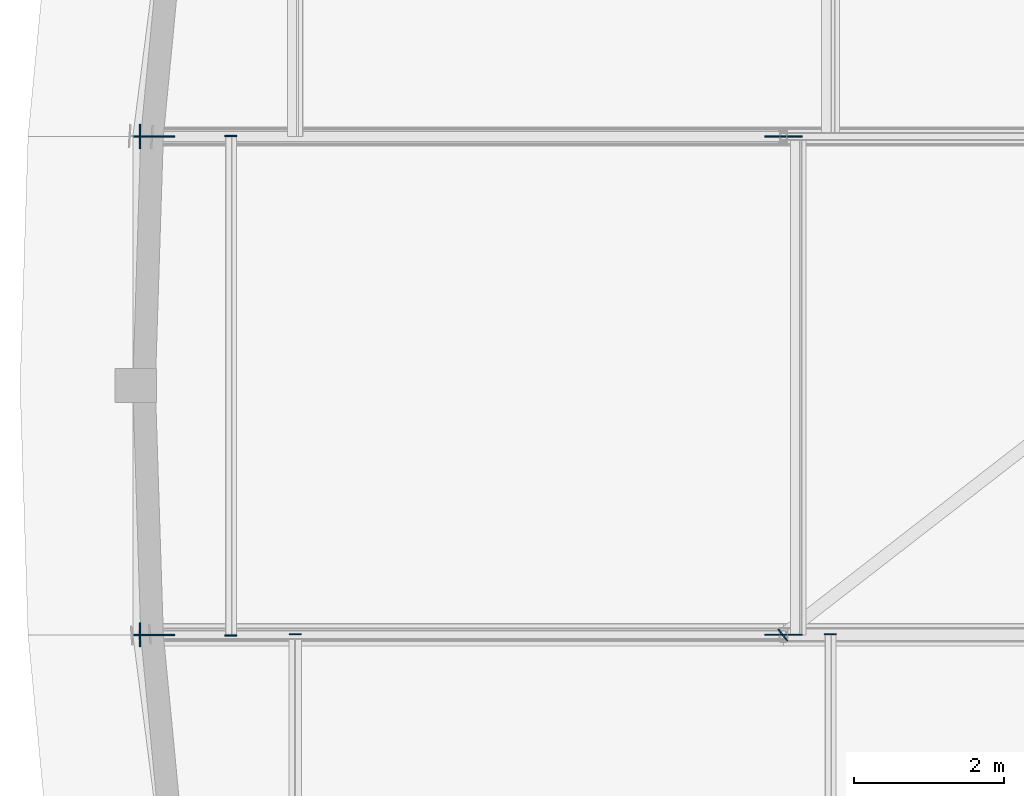
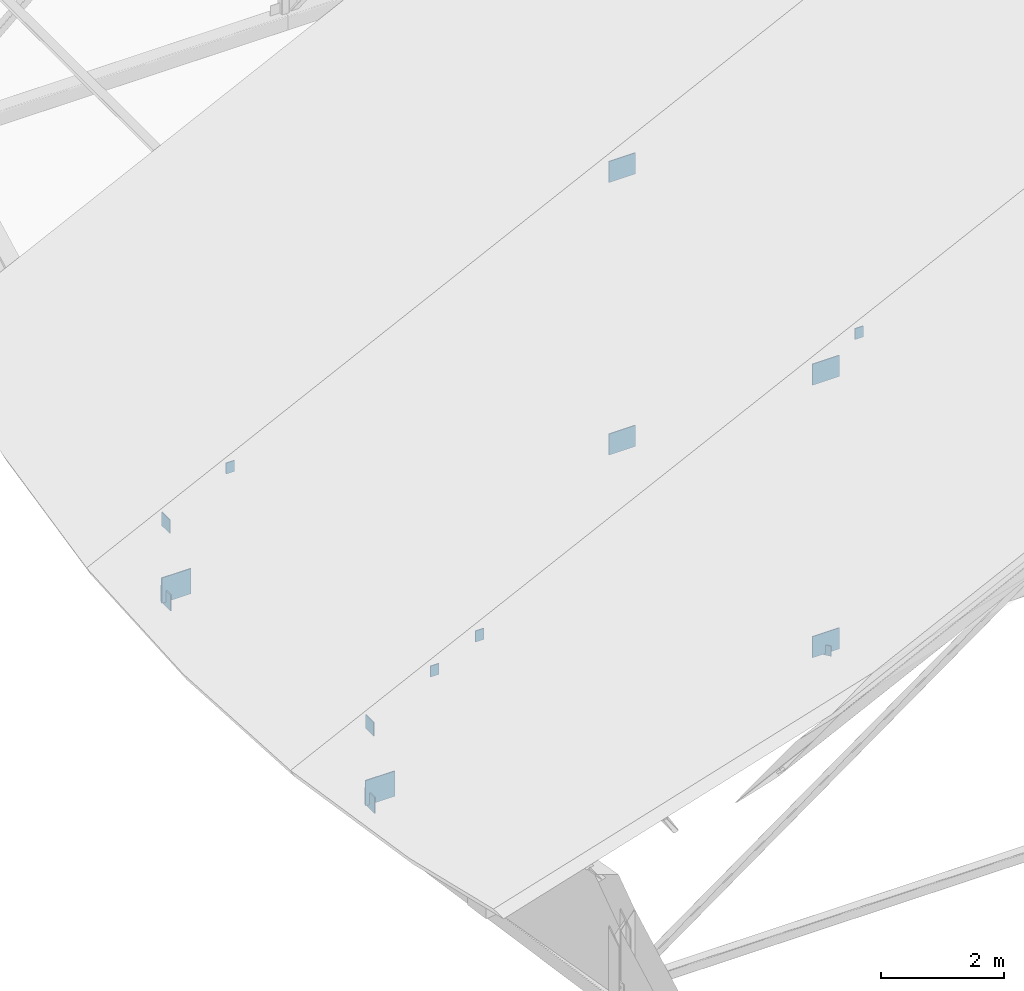
# One storey, part 41 of 78: 15 plates.
"""IFC4 building model written with IfcOpenShell, lengths in metres."""

from ifc_helpers import new_model, si_unit, direction, frame, origin, origin_2d, place, context, subcontext, project, spatial, rectangle, extrude, material, layer, layer_set, type_object, element, save


model = new_model("IFC4")

# Units and contexts
model_context = context("Model", 3, precision=1e-05, world=origin(), true_north=direction((0.0, 1.0)))
body_context = subcontext(model_context, "Body", "Model", "MODEL_VIEW")
ifc_project = project(units=[si_unit("LENGTHUNIT", "METRE"), si_unit("AREAUNIT", "SQUARE_METRE"), si_unit("VOLUMEUNIT", "CUBIC_METRE"), si_unit("PLANEANGLEUNIT", "RADIAN"), si_unit("MASSUNIT", "GRAM", prefix="KILO")], contexts=[model_context])

# Site, building, storey
site_placement = place(None, origin())
site = spatial("IfcSite", under=ifc_project, at=site_placement, CompositionType="ELEMENT")
building_placement = place(site_placement, origin())
building = spatial("IfcBuilding", under=site, at=building_placement, Name="Kelanivale Promenade Academy", CompositionType="ELEMENT")
storey_placement = place(building_placement, frame((0.0, 0.0, 16.199951171875)))
storey = spatial("IfcBuildingStorey", under=building, at=storey_placement, Name="L04", CompositionType="ELEMENT", Elevation=16.199951171875)

# Plates
ifc_material = material(Name="Steel S355", Category="steel")
ifc_layer_1 = layer(ifc_material, 0.01611328125)
ifc_layer_set_1 = layer_set([ifc_layer_1], Name="Steel S355")
plate_type_1 = type_object("IfcPlateType", Name="TN-CP16 Plate 16mm", PredefinedType="USERDEFINED", material=ifc_layer_set_1)
for number, where, z_axis, x_axis, name in (
    (1, (2.498046875, 52.885986328125, 1.55908203125), (0.0, 0.0, 1.0), (-1.0, 0.0, 0.0), "ROOF TRUSS TN-1 hollow-section end cap plate"),
    (2, (2.498046875, 59.513916015625, 1.55908203125), (0.0, 0.0, 1.0), (-1.0, 0.0, 0.0), "ROOF TRUSS TN-1 hollow-section end cap plate"),
):
    element("IfcPlate", number, at=place(storey_placement, frame(where, z_axis=z_axis, x_axis=x_axis)), inside=storey, type_object=plate_type_1, Name=name, ObjectType="CAP PLATE", PredefinedType="USERDEFINED", context=body_context, shape_type="SweptSolid", body=[
        extrude(rectangle(XDim=0.01611328125, YDim=0.27001953125, at=origin_2d()), origin(), (0.0, 0.0, 1.0), 0.27001953125),
    ])
for number, where, z_axis, x_axis, name in (
    (3, (4.55908203125, 52.89404296875, 2.64990234375), (0.0, 0.0, 1.0), (0.0, 1.0, 0.0), "ROOF TRUSS TN-4 hollow-section end cap plate"),
    (4, (11.679931640625, 52.89404296875, 6.15625), (0.0, 0.0, 1.0), (0.0, 1.0, 0.0), "ROOF TRUSS TN-4 hollow-section end cap plate"),
    (5, (3.7060546875, 52.8779296875, 2.26220703125), (0.0, 0.0, 1.0), (0.0, -1.0, 0.0), "ROOF TRUSS TN-4 hollow-section end cap plate"),
    (6, (3.7060546875, 59.52197265625, 2.26220703125), (0.0, 0.0, 1.0), (0.0, 1.0, 0.0), "ROOF TRUSS TN-4 hollow-section end cap plate"),
):
    element("IfcPlate", number, at=place(storey_placement, frame(where, z_axis=z_axis, x_axis=x_axis)), inside=storey, type_object=plate_type_1, Name=name, ObjectType="CAP PLATE", PredefinedType="USERDEFINED", context=body_context, shape_type="SweptSolid", body=[
        extrude(rectangle(XDim=0.01611328125, YDim=0.159912109375, at=origin_2d()), origin(), (0.0, 0.0, 1.0), 0.219970703125),
    ])
plate_placement = place(storey_placement, frame((11.047119140625, 52.881103515625, 0.10009765625), z_axis=(0.0, 0.0, 1.0), x_axis=(-0.790261972801, -0.612769136253, 0.0)))
element("IfcPlate", 7, at=plate_placement, inside=storey, type_object=plate_type_1, Name="ROOF TRUSS TN-3 hollow-section end cap plate", ObjectType="CAP PLATE", PredefinedType="USERDEFINED", context=body_context, shape_type="SweptSolid", body=[
    extrude(rectangle(XDim=0.01611328125, YDim=0.199951171875, at=origin_2d()), origin(), (0.0, 0.0, 1.0), 0.199951171875),
])
ifc_layer_2 = layer(ifc_material, 0.02001953125)
ifc_layer_set_2 = layer_set([ifc_layer_2], Name="Steel S355")
plate_type_2 = type_object("IfcPlateType", Name="TN-CP20 Plate 20mm", PredefinedType="USERDEFINED", material=ifc_layer_set_2)
for number, where, z_axis, x_axis, name in (
    (8, (2.49609375, 52.885986328125, 0.0400390625), (0.0, 0.0, 1.0), (-1.0, 0.0, 0.0), "ROOF TRUSS TN-1 hollow-section end cap plate"),
    (9, (2.49609375, 59.513916015625, 0.0400390625), (0.0, 0.0, 1.0), (-1.0, 0.0, 0.0), "ROOF TRUSS TN-1 hollow-section end cap plate"),
):
    element("IfcPlate", number, at=place(storey_placement, frame(where, z_axis=z_axis, x_axis=x_axis)), inside=storey, type_object=plate_type_2, Name=name, ObjectType="CAP PLATE", PredefinedType="USERDEFINED", context=body_context, shape_type="SweptSolid", body=[
        extrude(rectangle(XDim=0.02001953125, YDim=0.320068359375, at=origin_2d()), origin(), (0.0, 0.0, 1.0), 0.320068359375),
    ])
ifc_layer_3 = layer(ifc_material, 0.01611328125)
ifc_layer_set_3 = layer_set([ifc_layer_3], Name="Steel S355")
plate_type_3 = type_object("IfcPlateType", Name="TN-GP16 Plate 16mm", PredefinedType="USERDEFINED", material=ifc_layer_set_3)
for number, where, z_axis, x_axis, name in (
    (10, (11.052978515625, 52.885986328125, 0.130126953125), (0.0, 0.0, 1.0), (1.0, 0.0, 0.0), "ROOF TRUSS TN-3 welded node gusset plate"),
    (11, (11.052978515625, 52.885986328125, 5.5380859375), (0.0, 0.0, 1.0), (1.0, 0.0, 0.0), "ROOF TRUSS TN-4 welded node gusset plate"),
    (12, (11.052978515625, 59.513916015625, 0.130126953125), (0.0, 0.0, 1.0), (1.0, 0.0, 0.0), "ROOF TRUSS TN-3 welded node gusset plate"),
    (13, (11.052978515625, 59.513916015625, 5.5380859375), (0.0, 0.0, 1.0), (1.0, 0.0, 0.0), "ROOF TRUSS TN-4 welded node gusset plate"),
):
    element("IfcPlate", number, at=place(storey_placement, frame(where, z_axis=z_axis, x_axis=x_axis)), inside=storey, type_object=plate_type_3, Name=name, ObjectType="GUSSET PLATE", PredefinedType="USERDEFINED", context=body_context, shape_type="SweptSolid", body=[
        extrude(rectangle(XDim=0.5, YDim=0.01611328125, at=origin_2d()), origin(), (0.0, 0.0, 1.0), 0.419921875),
    ])
ifc_layer_4 = layer(ifc_material, 0.02001953125)
ifc_layer_set_4 = layer_set([ifc_layer_4], Name="Steel S355")
plate_type_4 = type_object("IfcPlateType", Name="TN-GP20 Plate 20mm", PredefinedType="USERDEFINED", material=ifc_layer_set_4)
for number, where, z_axis, x_axis, name in (
    (14, (2.68603515625, 52.885986328125, 0.130126953125), (0.0, 0.0, 1.0), (1.0, 0.0, 0.0), "ROOF TRUSS TN-1 welded node gusset plate"),
    (15, (2.68603515625, 59.513916015625, 0.130126953125), (0.0, 0.0, 1.0), (1.0, 0.0, 0.0), "ROOF TRUSS TN-1 welded node gusset plate"),
):
    element("IfcPlate", number, at=place(storey_placement, frame(where, z_axis=z_axis, x_axis=x_axis)), inside=storey, type_object=plate_type_4, Name=name, ObjectType="GUSSET PLATE", PredefinedType="USERDEFINED", context=body_context, shape_type="SweptSolid", body=[
        extrude(rectangle(XDim=0.550048828125, YDim=0.02001953125, at=origin_2d()), origin(), (0.0, 0.0, 1.0), 0.5),
    ])

save(model, "model.ifc")
